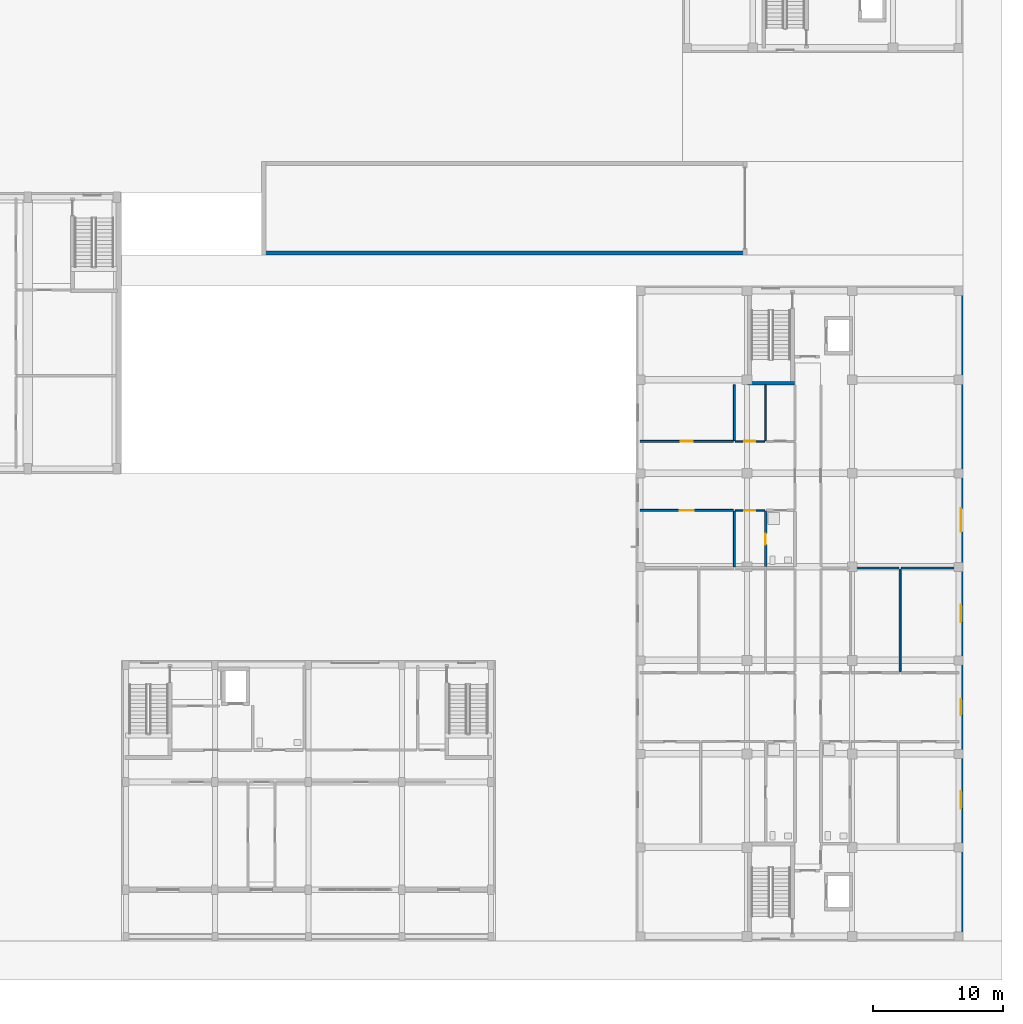
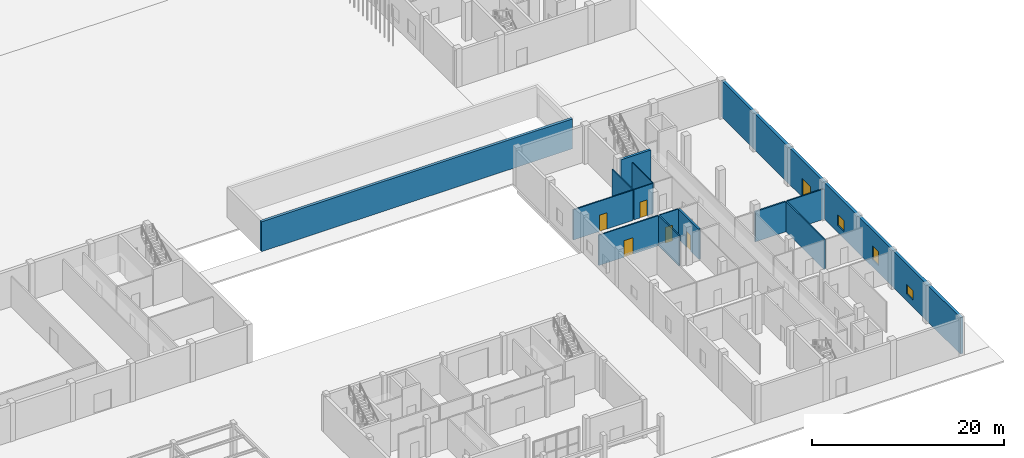
# One storey, part 50 of 85: 14 walls, 6 doors, 3 windows, 9 openings.
"""IFC4 building model written with IfcOpenShell, lengths in metres."""

from ifc_helpers import new_model, si_unit, derived_unit, direction, frame, frame_2d, origin, place, context, subcontext, project, spatial, rectangle, extrude, material, layer, layer_set, type_object, element, fill, save


model = new_model("IFC4")

# Units and contexts
model_context = context("Model", 3, precision=1e-05, world=origin(), true_north=direction((0.0, 1.0)))
body_context = subcontext(model_context, "Body", "Model", "MODEL_VIEW")
ifc_project = project(units=[si_unit("LENGTHUNIT", "METRE"), si_unit("AREAUNIT", "SQUARE_METRE"), si_unit("VOLUMEUNIT", "CUBIC_METRE"), si_unit("PLANEANGLEUNIT", "RADIAN"), si_unit("MASSUNIT", "GRAM", prefix="KILO"), derived_unit("THERMALTRANSMITTANCEUNIT", [(si_unit("MASSUNIT", "GRAM", prefix="KILO"), 1), (si_unit("TIMEUNIT", "SECOND"), -3), (si_unit("THERMODYNAMICTEMPERATUREUNIT", "KELVIN"), -1)])], contexts=[model_context])

# Site, building, storey
site_placement = place(None, origin())
site = spatial("IfcSite", under=ifc_project, at=site_placement, CompositionType="ELEMENT")
building_placement = place(site_placement, origin())
building = spatial("IfcBuilding", under=site, at=building_placement, Name="Ochrekiln Boulevard Commons", CompositionType="ELEMENT")
storey_placement = place(building_placement, origin())
storey = spatial("IfcBuildingStorey", under=building, at=storey_placement, Name="L00", CompositionType="ELEMENT", Elevation=0.0)

# Wall
ifc_material_1 = material(Name="Desert ochre clinker brick masonry ASTM C216 Grade SW", Category="masonry")
ifc_layer_1 = layer(ifc_material_1, 0.320068359375)
ifc_layer_set_1 = layer_set([ifc_layer_1], Name="Desert ochre clinker brick masonry ASTM C216 Grade SW")
wall_type_1 = type_object("IfcWallType", Name="WL-EXT-OCHRE-320", PredefinedType="SOLIDWALL", material=ifc_layer_set_1)
wall_1_placement = place(storey_placement, frame((118.800048828125, 52.949951171875, 0.0), z_axis=(0.0, 0.0, 1.0), x_axis=(1.0, 0.0, 0.0)))
element("IfcWall", 1, at=wall_1_placement, inside=storey, type_object=wall_type_1, Name="L00 Car Park Portal Hood Wall S", PredefinedType="SOLIDWALL", context=body_context, shape_type="SweptSolid", body=[
    extrude(rectangle(XDim=37.35986328125, YDim=0.320068359375, at=frame_2d((18.679931640625, 0.0))), origin(), (0.0, 0.0, 1.0), 3.800048828125),
])

# Wall, openings, door, windows
ifc_layer_2 = layer(ifc_material_1, 0.330078125)
ifc_layer_set_2 = layer_set([ifc_layer_2], Name="Desert ochre clinker brick masonry ASTM C216 Grade SW")
wall_type_2 = type_object("IfcWallType", Name="WL-EXT-OCHRE-330", PredefinedType="SOLIDWALL", material=ifc_layer_set_2)
wall_2_placement = place(storey_placement, frame((172.635009765625, 0.330078125, 0.0), z_axis=(0.0, 0.0, 1.0), x_axis=(0.0, 1.0, 0.0)))
wall_2 = element("IfcWall", 2, at=wall_2_placement, inside=storey, type_object=wall_type_2, Name="Block C L00 E Exterior Wall", PredefinedType="SOLIDWALL", context=body_context, shape_type="SweptSolid", body=[
    extrude(rectangle(XDim=49.739990234375, YDim=0.330078125, at=frame_2d((24.8701171875, 0.0))), origin(), (0.0, 0.0, 1.0), 4.639892578125),
])
opening_1_placement = place(wall_2_placement, frame((31.169921875, 0.0, 0.0)))
opening_1 = element("IfcOpeningElement", 3, at=opening_1_placement, cuts=wall_2, Name="Opening D-L00-MN35", PredefinedType="OPENING", context=body_context, shape_type="SweptSolid", body=[
    extrude(rectangle(XDim=1.800048828125, YDim=2.35009765625, at=frame_2d((0.89990234375, 1.175048828125))), frame((0.0, 0.175048828125, 0.0), z_axis=(0.0, -1.0, 0.0), x_axis=(1.0, 0.0, 0.0)), (0.0, 0.0, 1.0), 0.35009765625),
])
opening_2_placement = place(wall_2_placement, frame((17.044921875, 0.0, 0.89990234375)))
opening_2 = element("IfcOpeningElement", 4, at=opening_2_placement, cuts=wall_2, Name="Opening W-20", PredefinedType="OPENING", context=body_context, shape_type="SweptSolid", body=[
    extrude(rectangle(XDim=1.25, YDim=1.800048828125, at=frame_2d((0.625, 0.89990234375))), frame((0.0, 0.175048828125, 0.0), z_axis=(0.0, -1.0, 0.0), x_axis=(1.0, 0.0, 0.0)), (0.0, 0.0, 1.0), 0.35009765625),
])
opening_3_placement = place(wall_2_placement, frame((9.860107421875, 0.0, 0.89990234375)))
opening_3 = element("IfcOpeningElement", 5, at=opening_3_placement, cuts=wall_2, Name="Opening W-21", PredefinedType="OPENING", context=body_context, shape_type="SweptSolid", body=[
    extrude(rectangle(XDim=1.35009765625, YDim=1.199951171875, at=frame_2d((0.675048828125, 0.60009765625))), frame((0.0, 0.175048828125, 0.0), z_axis=(0.0, -1.0, 0.0), x_axis=(1.0, 0.0, 0.0)), (0.0, 0.0, 1.0), 0.35009765625),
])
opening_4_placement = place(wall_2_placement, frame((24.195068359375, 0.0, 0.89990234375)))
opening_4 = element("IfcOpeningElement", 6, at=opening_4_placement, cuts=wall_2, Name="Opening W-22", PredefinedType="OPENING", context=body_context, shape_type="SweptSolid", body=[
    extrude(rectangle(XDim=1.35009765625, YDim=1.35009765625, at=frame_2d((0.675048828125, 0.675048828125))), frame((0.0, 0.175048828125, 0.0), z_axis=(0.0, -1.0, 0.0), x_axis=(1.0, 0.0, 0.0)), (0.0, 0.0, 1.0), 0.35009765625),
])
ifc_material_2 = material(Name="Bronze-anodized extruded aluminium 6063-T6", Category="aluminium")
door_type_1 = type_object("IfcDoorType", Name="DR-EXT-MAIN-180", OperationType="DOUBLE_DOOR_SINGLE_SWING", PredefinedType="DOOR", material=ifc_material_2)
door_1_placement = place(opening_1_placement, frame((1.800048828125, 0.0, 0.0), z_axis=(0.0, 0.0, 1.0), x_axis=(-1.0, 0.0, 0.0)))
door_1 = element("IfcDoor", 7, at=door_1_placement, inside=storey, type_object=door_type_1, Name="Block C Main Pedestrian Entrance and Final Exit Door", OperationType="DOUBLE_DOOR_SINGLE_SWING", OverallHeight=2.35009765625, OverallWidth=1.800048828125, PredefinedType="DOOR", context=body_context, shape_type="SweptSolid", body=[
    extrude(rectangle(XDim=1.800048828125, YDim=2.35009765625, at=frame_2d((0.89990234375, 1.175048828125))), frame((0.0, 0.02490234375, 0.0), z_axis=(0.0, -1.0, 0.0), x_axis=(1.0, 0.0, 0.0)), (0.0, 0.0, 1.0), 0.050048828125),
])
fill(opening_1, door_1)
ifc_material_3 = material(Name="Thermally broken aluminium-clad oak frame", Category="aluminium")
window_type_1 = type_object("IfcWindowType", Name="WIN-EXT-20", PartitioningType="SINGLE_PANEL", PredefinedType="WINDOW", material=ifc_material_3)
window_1_placement = place(opening_2_placement, origin())
window_1 = element("IfcWindow", 8, at=window_1_placement, inside=storey, type_object=window_type_1, Name="Block C L00 Punched Masonry Window W-20", OverallHeight=1.800048828125, OverallWidth=1.25, PartitioningType="SINGLE_PANEL", PredefinedType="WINDOW", context=body_context, shape_type="SweptSolid", body=[
    extrude(rectangle(XDim=1.25, YDim=1.800048828125, at=frame_2d((0.625, 0.89990234375))), frame((0.0, 0.030029296875, 0.0), z_axis=(0.0, -1.0, 0.0), x_axis=(1.0, 0.0, 0.0)), (0.0, 0.0, 1.0), 0.06005859375),
])
fill(opening_2, window_1)
window_type_2 = type_object("IfcWindowType", Name="WIN-EXT-21", PartitioningType="SINGLE_PANEL", PredefinedType="WINDOW", material=ifc_material_3)
window_2_placement = place(opening_3_placement, origin())
window_2 = element("IfcWindow", 9, at=window_2_placement, inside=storey, type_object=window_type_2, Name="Block C L00 Punched Masonry Window W-21", OverallHeight=1.199951171875, OverallWidth=1.35009765625, PartitioningType="SINGLE_PANEL", PredefinedType="WINDOW", context=body_context, shape_type="SweptSolid", body=[
    extrude(rectangle(XDim=1.35009765625, YDim=1.199951171875, at=frame_2d((0.675048828125, 0.60009765625))), frame((0.0, 0.030029296875, 0.0), z_axis=(0.0, -1.0, 0.0), x_axis=(1.0, 0.0, 0.0)), (0.0, 0.0, 1.0), 0.06005859375),
])
fill(opening_3, window_2)
window_type_3 = type_object("IfcWindowType", Name="WIN-EXT-22", PartitioningType="SINGLE_PANEL", PredefinedType="WINDOW", material=ifc_material_3)
window_3_placement = place(opening_4_placement, origin())
window_3 = element("IfcWindow", 10, at=window_3_placement, inside=storey, type_object=window_type_3, Name="Block C L00 Punched Masonry Window W-22", OverallHeight=1.35009765625, OverallWidth=1.35009765625, PartitioningType="SINGLE_PANEL", PredefinedType="WINDOW", context=body_context, shape_type="SweptSolid", body=[
    extrude(rectangle(XDim=1.35009765625, YDim=1.35009765625, at=frame_2d((0.675048828125, 0.675048828125))), frame((0.0, 0.030029296875, 0.0), z_axis=(0.0, -1.0, 0.0), x_axis=(1.0, 0.0, 0.0)), (0.0, 0.0, 1.0), 0.06005859375),
])
fill(opening_4, window_3)

# Wall, opening, door
ifc_material_4 = material(Name="Moisture-resistant cementitious tile backer wall")
ifc_layer_3 = layer(ifc_material_4, 0.199951171875)
ifc_layer_set_3 = layer_set([ifc_layer_3], Name="Moisture-resistant cementitious tile backer wall")
wall_type_3 = type_object("IfcWallType", Name="WL-PLM-200", PredefinedType="PLUMBINGWALL", material=ifc_layer_set_3)
wall_3_placement = place(storey_placement, frame((157.590087890625, 28.81005859375, 0.0), z_axis=(0.0, 0.0, 1.0), x_axis=(0.0, 1.0, 0.0)))
wall_3 = element("IfcWall", 11, at=wall_3_placement, inside=storey, type_object=wall_type_3, Name="L00 Interior Wall W-PW200", PredefinedType="PLUMBINGWALL", context=body_context, shape_type="SweptSolid", body=[
    extrude(rectangle(XDim=4.27685546875, YDim=0.199951171875, at=frame_2d((2.138427734375, 0.0))), origin(), (0.0, 0.0, 1.0), 3.840087890625),
])
opening_5_placement = place(wall_3_placement, frame((1.702880859375, 0.0, 0.0)))
opening_5 = element("IfcOpeningElement", 12, at=opening_5_placement, cuts=wall_3, Name="Opening D-L00-072", PredefinedType="OPENING", context=body_context, shape_type="SweptSolid", body=[
    extrude(rectangle(XDim=0.85009765625, YDim=2.010009765625, at=frame_2d((0.425048828125, 1.0048828125))), frame((0.0, 0.10986328125, 0.0), z_axis=(0.0, -1.0, 0.0), x_axis=(1.0, 0.0, 0.0)), (0.0, 0.0, 1.0), 0.219970703125),
])
ifc_material_5 = material(Name="Solid core architectural oak door leaf")
door_type_2 = type_object("IfcDoorType", Name="DR-INT-KIT-085", OperationType="NOTDEFINED", PredefinedType="DOOR", material=ifc_material_5)
door_2_placement = place(opening_5_placement, frame((0.85009765625, 0.0, 0.0), z_axis=(0.0, 0.0, 1.0), x_axis=(-1.0, 0.0, 0.0)))
door_2 = element("IfcDoor", 13, at=door_2_placement, inside=storey, type_object=door_type_2, Name="L00 Interior Door to Apartment Bathroom", OperationType="SINGLE_SWING_RIGHT", OverallHeight=2.010009765625, OverallWidth=0.85009765625, PredefinedType="DOOR", context=body_context, shape_type="SweptSolid", body=[
    extrude(rectangle(XDim=0.85009765625, YDim=2.010009765625, at=frame_2d((0.425048828125, 1.0048828125))), frame((0.0, 0.02490234375, 0.0), z_axis=(0.0, -1.0, 0.0), x_axis=(1.0, 0.0, 0.0)), (0.0, 0.0, 1.0), 0.050048828125),
])
fill(opening_5, door_2)

# Walls
ifc_material_6 = material(Name="Fire-rated Type X gypsum board on steel studs", Category="steel")
ifc_layer_4 = layer(ifc_material_6, 0.169921875)
ifc_layer_set_4 = layer_set([ifc_layer_4], Name="Fire-rated Type X gypsum board on steel studs")
wall_type_4 = type_object("IfcWallType", Name="WL-PT-CIV-170", PredefinedType="PARTITIONING", material=ifc_layer_set_4)
wall_4_placement = place(storey_placement, frame((168.014892578125, 28.719970703125, 0.0), z_axis=(0.0, 0.0, 1.0), x_axis=(1.0, 0.0, 0.0)))
element("IfcWall", 14, at=wall_4_placement, inside=storey, type_object=wall_type_4, Name="L00 Interior Wall W-PV170", PredefinedType="PARTITIONING", context=body_context, shape_type="SweptSolid", body=[
    extrude(rectangle(XDim=4.455078125, YDim=0.169921875, at=frame_2d((2.2275390625, 0.0))), origin(), (0.0, 0.0, 1.0), 3.840087890625),
])
wall_5_placement = place(storey_placement, frame((164.169921875, 28.719970703125, 0.0), z_axis=(0.0, 0.0, 1.0), x_axis=(1.0, 0.0, 0.0)))
element("IfcWall", 15, at=wall_5_placement, inside=storey, type_object=wall_type_4, Name="L00 Interior Wall W-PV170", PredefinedType="PARTITIONING", context=body_context, shape_type="SweptSolid", body=[
    extrude(rectangle(XDim=3.690185546875, YDim=0.169921875, at=frame_2d((1.84521484375, 0.0))), origin(), (0.0, 0.0, 1.0), 3.840087890625),
])

# Wall, opening, door
ifc_layer_5 = layer(ifc_material_6, 0.1201171875)
ifc_layer_set_5 = layer_set([ifc_layer_5], Name="Fire-rated Type X gypsum board on steel studs")
wall_type_5 = type_object("IfcWallType", Name="WL-PT-LGT-120", PredefinedType="PARTITIONING", material=ifc_layer_set_5)
wall_6_placement = place(storey_placement, frame((155.260009765625, 33.14697265625, 0.0), z_axis=(0.0, 0.0, 1.0), x_axis=(1.0, 0.0, 0.0)))
wall_6 = element("IfcWall", 16, at=wall_6_placement, inside=storey, type_object=wall_type_5, Name="L00 Interior Wall W-PL120", PredefinedType="PARTITIONING", context=body_context, shape_type="SweptSolid", body=[
    extrude(rectangle(XDim=2.25, YDim=0.1201171875, at=frame_2d((1.125, 0.0))), origin(), (0.0, 0.0, 1.0), 3.840087890625),
])
opening_6_placement = place(wall_6_placement, frame((0.699951171875, 0.0, 0.0)))
opening_6 = element("IfcOpeningElement", 17, at=opening_6_placement, cuts=wall_6, Name="Opening D-L00-069", PredefinedType="OPENING", context=body_context, shape_type="SweptSolid", body=[
    extrude(rectangle(XDim=0.85009765625, YDim=2.010009765625, at=frame_2d((0.425048828125, 1.0048828125))), frame((0.0, 0.070068359375, 0.0), z_axis=(0.0, -1.0, 0.0), x_axis=(1.0, 0.0, 0.0)), (0.0, 0.0, 1.0), 0.14013671875),
])
door_3_placement = place(opening_6_placement, frame((0.85009765625, 0.0, 0.0), z_axis=(0.0, 0.0, 1.0), x_axis=(-1.0, 0.0, 0.0)))
door_3 = element("IfcDoor", 18, at=door_3_placement, inside=storey, type_object=door_type_2, Name="L00 Interior Door to Apartment Walk-In Wardrobe", OperationType="SINGLE_SWING_LEFT", OverallHeight=2.010009765625, OverallWidth=0.85009765625, PredefinedType="DOOR", context=body_context, shape_type="SweptSolid", body=[
    extrude(rectangle(XDim=0.85009765625, YDim=2.010009765625, at=frame_2d((0.425048828125, 1.0048828125))), frame((0.0, 0.02490234375, 0.0), z_axis=(0.0, -1.0, 0.0), x_axis=(1.0, 0.0, 0.0)), (0.0, 0.0, 1.0), 0.050048828125),
])
fill(opening_6, door_3)

wall_7_placement = place(storey_placement, frame((155.260009765625, 38.462890625, 0.0), z_axis=(0.0, 0.0, 1.0), x_axis=(1.0, 0.0, 0.0)))
wall_7 = element("IfcWall", 19, at=wall_7_placement, inside=storey, type_object=wall_type_5, Name="L00 Interior Wall W-PL120", PredefinedType="PARTITIONING", context=body_context, shape_type="SweptSolid", body=[
    extrude(rectangle(XDim=2.25, YDim=0.1201171875, at=frame_2d((1.125, 0.0))), origin(), (0.0, 0.0, 1.0), 3.840087890625),
])
opening_7_placement = place(wall_7_placement, frame((0.699951171875, 0.0, 0.0)))
opening_7 = element("IfcOpeningElement", 20, at=opening_7_placement, cuts=wall_7, Name="Opening D-L00-071", PredefinedType="OPENING", context=body_context, shape_type="SweptSolid", body=[
    extrude(rectangle(XDim=0.85009765625, YDim=2.010009765625, at=frame_2d((0.425048828125, 1.0048828125))), frame((0.0, 0.070068359375, 0.0), z_axis=(0.0, -1.0, 0.0), x_axis=(1.0, 0.0, 0.0)), (0.0, 0.0, 1.0), 0.14013671875),
])
door_4_placement = place(opening_7_placement, origin())
door_4 = element("IfcDoor", 21, at=door_4_placement, inside=storey, type_object=door_type_2, Name="L00 Interior Door to Apartment Walk-In Wardrobe", OperationType="SINGLE_SWING_LEFT", OverallHeight=2.010009765625, OverallWidth=0.85009765625, PredefinedType="DOOR", context=body_context, shape_type="SweptSolid", body=[
    extrude(rectangle(XDim=0.85009765625, YDim=2.010009765625, at=frame_2d((0.425048828125, 1.0048828125))), frame((0.0, 0.02490234375, 0.0), z_axis=(0.0, -1.0, 0.0), x_axis=(1.0, 0.0, 0.0)), (0.0, 0.0, 1.0), 0.050048828125),
])
fill(opening_7, door_4)

# Wall
wall_8_placement = place(storey_placement, frame((157.590087890625, 38.52294921875, 0.0), z_axis=(0.0, 0.0, 1.0), x_axis=(0.0, 1.0, 0.0)))
element("IfcWall", 22, at=wall_8_placement, inside=storey, type_object=wall_type_5, Name="L00 Interior Wall W-PL120", PredefinedType="PARTITIONING", context=body_context, shape_type="SweptSolid", body=[
    extrude(rectangle(XDim=4.277099609375, YDim=0.1201171875, at=frame_2d((2.138671875, 0.0))), origin(), (0.0, 0.0, 1.0), 3.840087890625),
])

# Wall, opening, door
ifc_layer_6 = layer(ifc_material_6, 0.14990234375)
ifc_layer_set_6 = layer_set([ifc_layer_6], Name="Fire-rated Type X gypsum board on steel studs")
wall_type_6 = type_object("IfcWallType", Name="WL-PT-STD-150", PredefinedType="PARTITIONING", material=ifc_layer_set_6)
wall_9_placement = place(storey_placement, frame((147.929931640625, 33.14697265625, 0.0), z_axis=(0.0, 0.0, 1.0), x_axis=(1.0, 0.0, 0.0)))
wall_9 = element("IfcWall", 23, at=wall_9_placement, inside=storey, type_object=wall_type_6, Name="L00 Interior Wall W-PS150", PredefinedType="PARTITIONING", context=body_context, shape_type="SweptSolid", body=[
    extrude(rectangle(XDim=7.170166015625, YDim=0.14990234375, at=frame_2d((3.5849609375, 0.0))), origin(), (0.0, 0.0, 1.0), 3.840087890625),
])
opening_8_placement = place(wall_9_placement, frame((3.054931640625, 0.0, 0.0)))
opening_8 = element("IfcOpeningElement", 24, at=opening_8_placement, cuts=wall_9, Name="Opening D-L00-068", PredefinedType="OPENING", context=body_context, shape_type="SweptSolid", body=[
    extrude(rectangle(XDim=1.080078125, YDim=2.10009765625, at=frame_2d((0.5400390625, 1.050048828125))), frame((0.0, 0.0849609375, 0.0), z_axis=(0.0, -1.0, 0.0), x_axis=(1.0, 0.0, 0.0)), (0.0, 0.0, 1.0), 0.169921875),
])
door_type_3 = type_object("IfcDoorType", Name="DR-INT-BED-108", OperationType="NOTDEFINED", PredefinedType="DOOR", material=ifc_material_5)
door_5_placement = place(opening_8_placement, frame((1.080078125, 0.0, 0.0), z_axis=(0.0, 0.0, 1.0), x_axis=(-1.0, 0.0, 0.0)))
door_5 = element("IfcDoor", 25, at=door_5_placement, inside=storey, type_object=door_type_3, Name="L00 Interior Door to Primary Apartment Bedroom", OperationType="SINGLE_SWING_RIGHT", OverallHeight=2.10009765625, OverallWidth=1.080078125, PredefinedType="DOOR", context=body_context, shape_type="SweptSolid", body=[
    extrude(rectangle(XDim=1.080078125, YDim=2.10009765625, at=frame_2d((0.5400390625, 1.050048828125))), frame((0.0, 0.02490234375, 0.0), z_axis=(0.0, -1.0, 0.0), x_axis=(1.0, 0.0, 0.0)), (0.0, 0.0, 1.0), 0.050048828125),
])
fill(opening_8, door_5)

wall_10_placement = place(storey_placement, frame((147.929931640625, 38.462890625, 0.0), z_axis=(0.0, 0.0, 1.0), x_axis=(1.0, 0.0, 0.0)))
wall_10 = element("IfcWall", 26, at=wall_10_placement, inside=storey, type_object=wall_type_6, Name="L00 Interior Wall W-PS150", PredefinedType="PARTITIONING", context=body_context, shape_type="SweptSolid", body=[
    extrude(rectangle(XDim=7.170166015625, YDim=0.14990234375, at=frame_2d((3.5849609375, 0.0))), origin(), (0.0, 0.0, 1.0), 3.840087890625),
])
opening_9_placement = place(wall_10_placement, frame((3.125, 0.0, 0.0)))
opening_9 = element("IfcOpeningElement", 27, at=opening_9_placement, cuts=wall_10, Name="Opening D-L00-070", PredefinedType="OPENING", context=body_context, shape_type="SweptSolid", body=[
    extrude(rectangle(XDim=0.93994140625, YDim=2.06005859375, at=frame_2d((0.469970703125, 1.030029296875))), frame((0.0, 0.0849609375, 0.0), z_axis=(0.0, -1.0, 0.0), x_axis=(1.0, 0.0, 0.0)), (0.0, 0.0, 1.0), 0.169921875),
])
door_type_4 = type_object("IfcDoorType", Name="DR-INT-BED-094", OperationType="NOTDEFINED", PredefinedType="DOOR", material=ifc_material_5)
door_6_placement = place(opening_9_placement, origin())
door_6 = element("IfcDoor", 28, at=door_6_placement, inside=storey, type_object=door_type_4, Name="L00 Interior Door to Secondary Apartment Bedroom", OperationType="SINGLE_SWING_RIGHT", OverallHeight=2.06005859375, OverallWidth=0.93994140625, PredefinedType="DOOR", context=body_context, shape_type="SweptSolid", body=[
    extrude(rectangle(XDim=0.93994140625, YDim=2.06005859375, at=frame_2d((0.469970703125, 1.030029296875))), frame((0.0, 0.02490234375, 0.0), z_axis=(0.0, -1.0, 0.0), x_axis=(1.0, 0.0, 0.0)), (0.0, 0.0, 1.0), 0.050048828125),
])
fill(opening_9, door_6)

# Walls
wall_11_placement = place(storey_placement, frame((155.179931640625, 28.81005859375, 0.0), z_axis=(0.0, 0.0, 1.0), x_axis=(0.0, 1.0, 0.0)))
element("IfcWall", 29, at=wall_11_placement, inside=storey, type_object=wall_type_6, Name="L00 Interior Wall W-PS150", PredefinedType="PARTITIONING", context=body_context, shape_type="SweptSolid", body=[
    extrude(rectangle(XDim=4.27685546875, YDim=0.14990234375, at=frame_2d((2.138427734375, 0.0))), origin(), (0.0, 0.0, 1.0), 3.840087890625),
])
wall_12_placement = place(storey_placement, frame((155.179931640625, 38.52294921875, 0.0), z_axis=(0.0, 0.0, 1.0), x_axis=(0.0, 1.0, 0.0)))
element("IfcWall", 30, at=wall_12_placement, inside=storey, type_object=wall_type_6, Name="L00 Interior Wall W-PS150", PredefinedType="PARTITIONING", context=body_context, shape_type="SweptSolid", body=[
    extrude(rectangle(XDim=4.277099609375, YDim=0.14990234375, at=frame_2d((2.138671875, 0.0))), origin(), (0.0, 0.0, 1.0), 3.840087890625),
])
wall_13_placement = place(storey_placement, frame((167.93994140625, 20.72509765625, 0.0), z_axis=(0.0, 0.0, 1.0), x_axis=(0.0, 1.0, 0.0)))
element("IfcWall", 31, at=wall_13_placement, inside=storey, type_object=wall_type_6, Name="L00 Interior Wall W-PS150", PredefinedType="PARTITIONING", context=body_context, shape_type="SweptSolid", body=[
    extrude(rectangle(XDim=7.90478515625, YDim=0.14990234375, at=frame_2d((3.952392578125, 0.0))), origin(), (0.0, 0.0, 1.0), 3.840087890625),
])
ifc_material_7 = material(Name="Concrete C40/50", Category="concrete")
ifc_layer_7 = layer(ifc_material_7, 0.300048828125)
ifc_layer_set_7 = layer_set([ifc_layer_7], Name="Concrete C40/50")
wall_type_7 = type_object("IfcWallType", Name="WL-SH-300", PredefinedType="SHEAR", material=ifc_layer_set_7)
wall_14_placement = place(storey_placement, frame((156.199951171875, 42.929931640625, 0.0), z_axis=(0.0, 0.0, 1.0), x_axis=(1.0, 0.0, 0.0)))
element("IfcWall", 32, at=wall_14_placement, inside=storey, type_object=wall_type_7, Name="Stair ST-C2 L00 Core Shear Wall S", PredefinedType="SHEAR", context=body_context, shape_type="SweptSolid", body=[
    extrude(rectangle(XDim=3.60009765625, YDim=0.300048828125, at=frame_2d((1.800048828125, 0.0))), origin(), (0.0, 0.0, 1.0), 4.639892578125),
])

save(model, "model.ifc")
